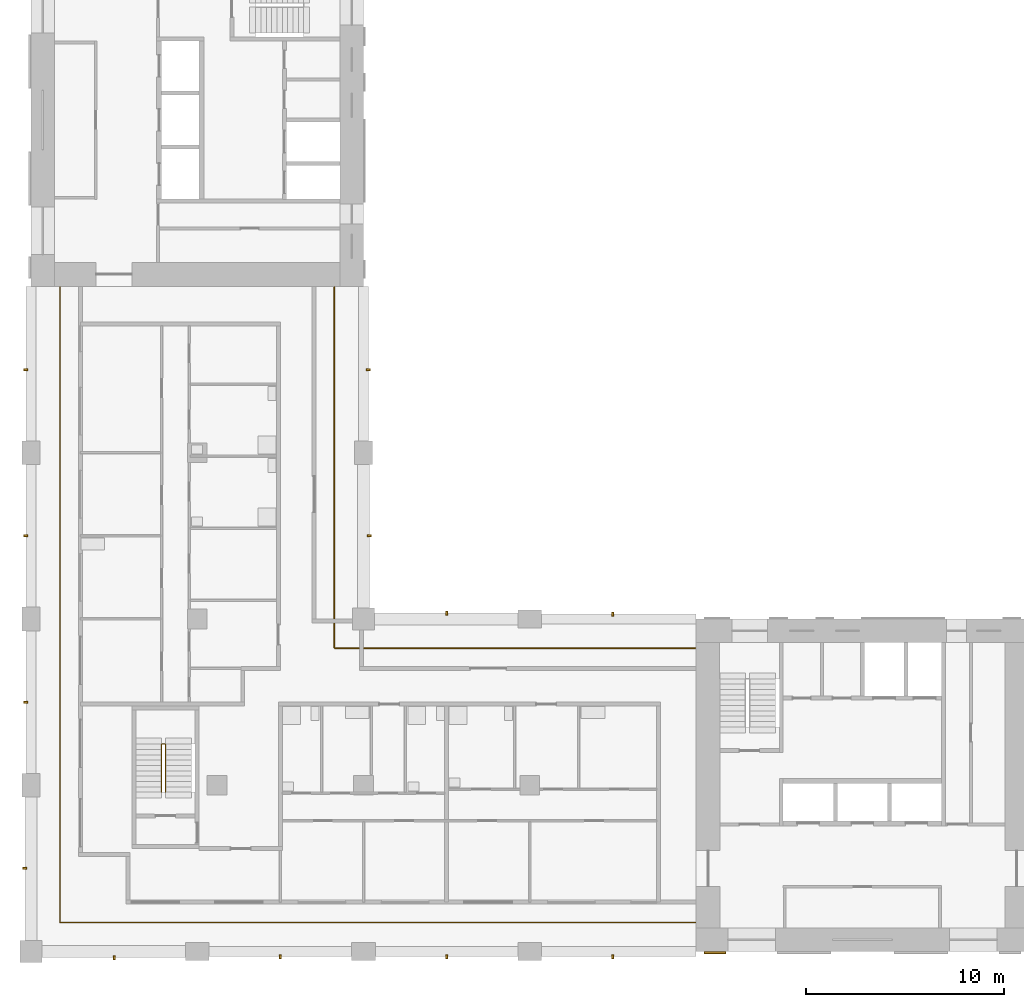
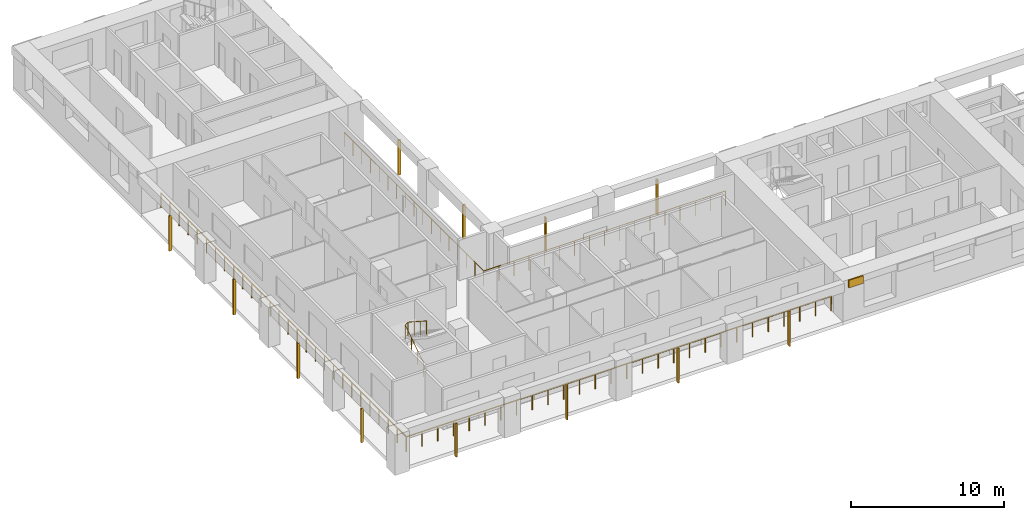
# One storey, part 7 of 10: 13 shading devices, 3 railings.
"""IFC4 building model written with IfcOpenShell, lengths in metres."""

from ifc_helpers import new_model, si_unit, direction, frame, origin, origin_2d, place, context, subcontext, project, spatial, rectangle, circle, extrude, material, layer, layer_set, material_profile, profile_set, type_object, element, save


model = new_model("IFC4")

# Units and contexts
model_context = context("Model", 3, precision=1e-05, world=origin(), true_north=direction((0.0, 1.0)))
body_context = subcontext(model_context, "Body", "Model", "MODEL_VIEW")
ifc_project = project(units=[si_unit("LENGTHUNIT", "METRE"), si_unit("AREAUNIT", "SQUARE_METRE"), si_unit("VOLUMEUNIT", "CUBIC_METRE"), si_unit("PLANEANGLEUNIT", "RADIAN"), si_unit("MASSUNIT", "GRAM", prefix="KILO")], contexts=[model_context])

# Site, building, storey
site_placement = place(None, origin())
site = spatial("IfcSite", under=ifc_project, at=site_placement, CompositionType="ELEMENT")
building_placement = place(site_placement, origin())
building = spatial("IfcBuilding", under=site, at=building_placement, Name="Vermilion Gate Residences", CompositionType="ELEMENT")
storey_placement = place(building_placement, frame((0.0, 0.0, 175.699951171875)))
storey = spatial("IfcBuildingStorey", under=building, at=storey_placement, Name="L45", CompositionType="ELEMENT", Elevation=175.699951171875)

# Railings
ifc_material_1 = material(Name="Stainless steel and toughened glass", Category="steel")
railing_type_1 = type_object("IfcRailingType", Name="LOGGIA GUARD STEEL AND GLASS 1200", PredefinedType="GUARDRAIL", material=ifc_material_1)
railing_1_placement = place(storey_placement, frame((41.97802734375, 23.72509765625, 0.0)))
element("IfcRailing", 1, at=railing_1_placement, inside=storey, type_object=railing_type_1, Name="Loggia guard", PredefinedType="GUARDRAIL", context=body_context, shape_type="SweptSolid", body=[
    extrude(circle(Radius=0.030029296875, at=origin_2d()), frame((0.0, 0.0, 1.169921875), z_axis=(-1.0, 0.0, 0.0), x_axis=(0.0, -1.0, 0.0)), (0.0, 0.0, 1.0), 18.2529296875),
    extrude(circle(Radius=0.030029296875, at=origin_2d()), frame((-18.2529296875, 0.0, 1.169921875), z_axis=(0.0, 1.0, 0.0), x_axis=(-1.0, 0.0, 0.0)), (0.0, 0.0, 1.0), 18.2529296875),
    extrude(circle(Radius=0.02490234375, at=origin_2d()), origin(), (0.0, 0.0, 1.0), 1.139892578125),
    extrude(circle(Radius=0.02490234375, at=origin_2d()), frame((-1.140869140625, 0.0, 0.0)), (0.0, 0.0, 1.0), 1.139892578125),
    extrude(circle(Radius=0.02490234375, at=origin_2d()), frame((-2.28173828125, 0.0, 0.0)), (0.0, 0.0, 1.0), 1.139892578125),
    extrude(circle(Radius=0.02490234375, at=origin_2d()), frame((-3.42236328125, 0.0, 0.0)), (0.0, 0.0, 1.0), 1.139892578125),
    extrude(circle(Radius=0.02490234375, at=origin_2d()), frame((-4.563232421875, 0.0, 0.0)), (0.0, 0.0, 1.0), 1.139892578125),
    extrude(circle(Radius=0.02490234375, at=origin_2d()), frame((-5.7041015625, 0.0, 0.0)), (0.0, 0.0, 1.0), 1.139892578125),
    extrude(circle(Radius=0.02490234375, at=origin_2d()), frame((-6.8447265625, 0.0, 0.0)), (0.0, 0.0, 1.0), 1.139892578125),
    extrude(circle(Radius=0.02490234375, at=origin_2d()), frame((-7.985595703125, 0.0, 0.0)), (0.0, 0.0, 1.0), 1.139892578125),
    extrude(circle(Radius=0.02490234375, at=origin_2d()), frame((-9.12646484375, 0.0, 0.0)), (0.0, 0.0, 1.0), 1.139892578125),
    extrude(circle(Radius=0.02490234375, at=origin_2d()), frame((-10.267333984375, 0.0, 0.0)), (0.0, 0.0, 1.0), 1.139892578125),
    extrude(circle(Radius=0.02490234375, at=origin_2d()), frame((-11.408203125, 0.0, 0.0)), (0.0, 0.0, 1.0), 1.139892578125),
    extrude(circle(Radius=0.02490234375, at=origin_2d()), frame((-12.548828125, 0.0, 0.0)), (0.0, 0.0, 1.0), 1.139892578125),
    extrude(circle(Radius=0.02490234375, at=origin_2d()), frame((-13.689697265625, 0.0, 0.0)), (0.0, 0.0, 1.0), 1.139892578125),
    extrude(circle(Radius=0.02490234375, at=origin_2d()), frame((-14.83056640625, 0.0, 0.0)), (0.0, 0.0, 1.0), 1.139892578125),
    extrude(circle(Radius=0.02490234375, at=origin_2d()), frame((-15.97119140625, 0.0, 0.0)), (0.0, 0.0, 1.0), 1.139892578125),
    extrude(circle(Radius=0.02490234375, at=origin_2d()), frame((-17.112060546875, 0.0, 0.0)), (0.0, 0.0, 1.0), 1.139892578125),
    extrude(circle(Radius=0.02490234375, at=origin_2d()), frame((-18.2529296875, 0.0, 0.0)), (0.0, 0.0, 1.0), 1.139892578125),
    extrude(circle(Radius=0.02490234375, at=origin_2d()), frame((-18.2529296875, 1.140869140625, 0.0)), (0.0, 0.0, 1.0), 1.139892578125),
    extrude(circle(Radius=0.02490234375, at=origin_2d()), frame((-18.2529296875, 2.28173828125, 0.0)), (0.0, 0.0, 1.0), 1.139892578125),
    extrude(circle(Radius=0.02490234375, at=origin_2d()), frame((-18.2529296875, 3.42236328125, 0.0)), (0.0, 0.0, 1.0), 1.139892578125),
    extrude(circle(Radius=0.02490234375, at=origin_2d()), frame((-18.2529296875, 4.563232421875, 0.0)), (0.0, 0.0, 1.0), 1.139892578125),
    extrude(circle(Radius=0.02490234375, at=origin_2d()), frame((-18.2529296875, 5.7041015625, 0.0)), (0.0, 0.0, 1.0), 1.139892578125),
    extrude(circle(Radius=0.02490234375, at=origin_2d()), frame((-18.2529296875, 6.8447265625, 0.0)), (0.0, 0.0, 1.0), 1.139892578125),
    extrude(circle(Radius=0.02490234375, at=origin_2d()), frame((-18.2529296875, 7.985595703125, 0.0)), (0.0, 0.0, 1.0), 1.139892578125),
    extrude(circle(Radius=0.02490234375, at=origin_2d()), frame((-18.2529296875, 9.12646484375, 0.0)), (0.0, 0.0, 1.0), 1.139892578125),
    extrude(circle(Radius=0.02490234375, at=origin_2d()), frame((-18.2529296875, 10.267333984375, 0.0)), (0.0, 0.0, 1.0), 1.139892578125),
    extrude(circle(Radius=0.02490234375, at=origin_2d()), frame((-18.2529296875, 11.408203125, 0.0)), (0.0, 0.0, 1.0), 1.139892578125),
    extrude(circle(Radius=0.02490234375, at=origin_2d()), frame((-18.2529296875, 12.548828125, 0.0)), (0.0, 0.0, 1.0), 1.139892578125),
    extrude(circle(Radius=0.02490234375, at=origin_2d()), frame((-18.2529296875, 13.689697265625, 0.0)), (0.0, 0.0, 1.0), 1.139892578125),
    extrude(circle(Radius=0.02490234375, at=origin_2d()), frame((-18.2529296875, 14.83056640625, 0.0)), (0.0, 0.0, 1.0), 1.139892578125),
    extrude(circle(Radius=0.02490234375, at=origin_2d()), frame((-18.2529296875, 15.97119140625, 0.0)), (0.0, 0.0, 1.0), 1.139892578125),
    extrude(circle(Radius=0.02490234375, at=origin_2d()), frame((-18.2529296875, 17.112060546875, 0.0)), (0.0, 0.0, 1.0), 1.139892578125),
    extrude(circle(Radius=0.02490234375, at=origin_2d()), frame((-18.2529296875, 18.2529296875, 0.0)), (0.0, 0.0, 1.0), 1.139892578125),
])
railing_2_placement = place(storey_placement, frame((9.875, 41.97802734375, 0.0)))
element("IfcRailing", 2, at=railing_2_placement, inside=storey, type_object=railing_type_1, Name="Loggia guard", PredefinedType="GUARDRAIL", context=body_context, shape_type="SweptSolid", body=[
    extrude(circle(Radius=0.030029296875, at=origin_2d()), frame((0.0, 0.0, 1.169921875), z_axis=(0.0, -1.0, 0.0), x_axis=(1.0, 0.0, 0.0)), (0.0, 0.0, 1.0), 32.10302734375),
    extrude(circle(Radius=0.030029296875, at=origin_2d()), frame((0.0, -32.10302734375, 1.169921875), z_axis=(1.0, 0.0, 0.0), x_axis=(0.0, 1.0, 0.0)), (0.0, 0.0, 1.0), 32.10302734375),
    extrude(circle(Radius=0.02490234375, at=origin_2d()), origin(), (0.0, 0.0, 1.0), 1.139892578125),
    extrude(circle(Radius=0.02490234375, at=origin_2d()), frame((0.0, -1.18896484375, 0.0)), (0.0, 0.0, 1.0), 1.139892578125),
    extrude(circle(Radius=0.02490234375, at=origin_2d()), frame((0.0, -2.3779296875, 0.0)), (0.0, 0.0, 1.0), 1.139892578125),
    extrude(circle(Radius=0.02490234375, at=origin_2d()), frame((0.0, -3.56689453125, 0.0)), (0.0, 0.0, 1.0), 1.139892578125),
    extrude(circle(Radius=0.02490234375, at=origin_2d()), frame((0.0, -4.756103515625, 0.0)), (0.0, 0.0, 1.0), 1.139892578125),
    extrude(circle(Radius=0.02490234375, at=origin_2d()), frame((0.0, -5.945068359375, 0.0)), (0.0, 0.0, 1.0), 1.139892578125),
    extrude(circle(Radius=0.02490234375, at=origin_2d()), frame((0.0, -7.134033203125, 0.0)), (0.0, 0.0, 1.0), 1.139892578125),
    extrude(circle(Radius=0.02490234375, at=origin_2d()), frame((0.0, -8.322998046875, 0.0)), (0.0, 0.0, 1.0), 1.139892578125),
    extrude(circle(Radius=0.02490234375, at=origin_2d()), frame((0.0, -9.511962890625, 0.0)), (0.0, 0.0, 1.0), 1.139892578125),
    extrude(circle(Radius=0.02490234375, at=origin_2d()), frame((0.0, -10.700927734375, 0.0)), (0.0, 0.0, 1.0), 1.139892578125),
    extrude(circle(Radius=0.02490234375, at=origin_2d()), frame((0.0, -11.889892578125, 0.0)), (0.0, 0.0, 1.0), 1.139892578125),
    extrude(circle(Radius=0.02490234375, at=origin_2d()), frame((0.0, -13.0791015625, 0.0)), (0.0, 0.0, 1.0), 1.139892578125),
    extrude(circle(Radius=0.02490234375, at=origin_2d()), frame((0.0, -14.26806640625, 0.0)), (0.0, 0.0, 1.0), 1.139892578125),
    extrude(circle(Radius=0.02490234375, at=origin_2d()), frame((0.0, -15.45703125, 0.0)), (0.0, 0.0, 1.0), 1.139892578125),
    extrude(circle(Radius=0.02490234375, at=origin_2d()), frame((0.0, -16.64599609375, 0.0)), (0.0, 0.0, 1.0), 1.139892578125),
    extrude(circle(Radius=0.02490234375, at=origin_2d()), frame((0.0, -17.8349609375, 0.0)), (0.0, 0.0, 1.0), 1.139892578125),
    extrude(circle(Radius=0.02490234375, at=origin_2d()), frame((0.0, -19.02392578125, 0.0)), (0.0, 0.0, 1.0), 1.139892578125),
    extrude(circle(Radius=0.02490234375, at=origin_2d()), frame((0.0, -20.213134765625, 0.0)), (0.0, 0.0, 1.0), 1.139892578125),
    extrude(circle(Radius=0.02490234375, at=origin_2d()), frame((0.0, -21.402099609375, 0.0)), (0.0, 0.0, 1.0), 1.139892578125),
    extrude(circle(Radius=0.02490234375, at=origin_2d()), frame((0.0, -22.591064453125, 0.0)), (0.0, 0.0, 1.0), 1.139892578125),
    extrude(circle(Radius=0.02490234375, at=origin_2d()), frame((0.0, -23.780029296875, 0.0)), (0.0, 0.0, 1.0), 1.139892578125),
    extrude(circle(Radius=0.02490234375, at=origin_2d()), frame((0.0, -24.968994140625, 0.0)), (0.0, 0.0, 1.0), 1.139892578125),
    extrude(circle(Radius=0.02490234375, at=origin_2d()), frame((0.0, -26.157958984375, 0.0)), (0.0, 0.0, 1.0), 1.139892578125),
    extrude(circle(Radius=0.02490234375, at=origin_2d()), frame((0.0, -27.346923828125, 0.0)), (0.0, 0.0, 1.0), 1.139892578125),
    extrude(circle(Radius=0.02490234375, at=origin_2d()), frame((0.0, -28.5361328125, 0.0)), (0.0, 0.0, 1.0), 1.139892578125),
    extrude(circle(Radius=0.02490234375, at=origin_2d()), frame((0.0, -29.72509765625, 0.0)), (0.0, 0.0, 1.0), 1.139892578125),
    extrude(circle(Radius=0.02490234375, at=origin_2d()), frame((0.0, -30.9140625, 0.0)), (0.0, 0.0, 1.0), 1.139892578125),
    extrude(circle(Radius=0.02490234375, at=origin_2d()), frame((0.0, -32.10302734375, 0.0)), (0.0, 0.0, 1.0), 1.139892578125),
    extrude(circle(Radius=0.02490234375, at=origin_2d()), frame((1.18896484375, -32.10302734375, 0.0)), (0.0, 0.0, 1.0), 1.139892578125),
    extrude(circle(Radius=0.02490234375, at=origin_2d()), frame((2.3779296875, -32.10302734375, 0.0)), (0.0, 0.0, 1.0), 1.139892578125),
    extrude(circle(Radius=0.02490234375, at=origin_2d()), frame((3.56689453125, -32.10302734375, 0.0)), (0.0, 0.0, 1.0), 1.139892578125),
    extrude(circle(Radius=0.02490234375, at=origin_2d()), frame((4.756103515625, -32.10302734375, 0.0)), (0.0, 0.0, 1.0), 1.139892578125),
    extrude(circle(Radius=0.02490234375, at=origin_2d()), frame((5.945068359375, -32.10302734375, 0.0)), (0.0, 0.0, 1.0), 1.139892578125),
    extrude(circle(Radius=0.02490234375, at=origin_2d()), frame((7.134033203125, -32.10302734375, 0.0)), (0.0, 0.0, 1.0), 1.139892578125),
    extrude(circle(Radius=0.02490234375, at=origin_2d()), frame((8.322998046875, -32.10302734375, 0.0)), (0.0, 0.0, 1.0), 1.139892578125),
    extrude(circle(Radius=0.02490234375, at=origin_2d()), frame((9.511962890625, -32.10302734375, 0.0)), (0.0, 0.0, 1.0), 1.139892578125),
    extrude(circle(Radius=0.02490234375, at=origin_2d()), frame((10.700927734375, -32.10302734375, 0.0)), (0.0, 0.0, 1.0), 1.139892578125),
    extrude(circle(Radius=0.02490234375, at=origin_2d()), frame((11.889892578125, -32.10302734375, 0.0)), (0.0, 0.0, 1.0), 1.139892578125),
    extrude(circle(Radius=0.02490234375, at=origin_2d()), frame((13.0791015625, -32.10302734375, 0.0)), (0.0, 0.0, 1.0), 1.139892578125),
    extrude(circle(Radius=0.02490234375, at=origin_2d()), frame((14.26806640625, -32.10302734375, 0.0)), (0.0, 0.0, 1.0), 1.139892578125),
    extrude(circle(Radius=0.02490234375, at=origin_2d()), frame((15.45703125, -32.10302734375, 0.0)), (0.0, 0.0, 1.0), 1.139892578125),
    extrude(circle(Radius=0.02490234375, at=origin_2d()), frame((16.64599609375, -32.10302734375, 0.0)), (0.0, 0.0, 1.0), 1.139892578125),
    extrude(circle(Radius=0.02490234375, at=origin_2d()), frame((17.8349609375, -32.10302734375, 0.0)), (0.0, 0.0, 1.0), 1.139892578125),
    extrude(circle(Radius=0.02490234375, at=origin_2d()), frame((19.02392578125, -32.10302734375, 0.0)), (0.0, 0.0, 1.0), 1.139892578125),
    extrude(circle(Radius=0.02490234375, at=origin_2d()), frame((20.213134765625, -32.10302734375, 0.0)), (0.0, 0.0, 1.0), 1.139892578125),
    extrude(circle(Radius=0.02490234375, at=origin_2d()), frame((21.402099609375, -32.10302734375, 0.0)), (0.0, 0.0, 1.0), 1.139892578125),
    extrude(circle(Radius=0.02490234375, at=origin_2d()), frame((22.591064453125, -32.10302734375, 0.0)), (0.0, 0.0, 1.0), 1.139892578125),
    extrude(circle(Radius=0.02490234375, at=origin_2d()), frame((23.780029296875, -32.10302734375, 0.0)), (0.0, 0.0, 1.0), 1.139892578125),
    extrude(circle(Radius=0.02490234375, at=origin_2d()), frame((24.968994140625, -32.10302734375, 0.0)), (0.0, 0.0, 1.0), 1.139892578125),
    extrude(circle(Radius=0.02490234375, at=origin_2d()), frame((26.157958984375, -32.10302734375, 0.0)), (0.0, 0.0, 1.0), 1.139892578125),
    extrude(circle(Radius=0.02490234375, at=origin_2d()), frame((27.346923828125, -32.10302734375, 0.0)), (0.0, 0.0, 1.0), 1.139892578125),
    extrude(circle(Radius=0.02490234375, at=origin_2d()), frame((28.5361328125, -32.10302734375, 0.0)), (0.0, 0.0, 1.0), 1.139892578125),
    extrude(circle(Radius=0.02490234375, at=origin_2d()), frame((29.72509765625, -32.10302734375, 0.0)), (0.0, 0.0, 1.0), 1.139892578125),
    extrude(circle(Radius=0.02490234375, at=origin_2d()), frame((30.9140625, -32.10302734375, 0.0)), (0.0, 0.0, 1.0), 1.139892578125),
    extrude(circle(Radius=0.02490234375, at=origin_2d()), frame((32.10302734375, -32.10302734375, 0.0)), (0.0, 0.0, 1.0), 1.139892578125),
])
ifc_material_2 = material(Name="Steel S355", Category="steel")
railing_type_2 = type_object("IfcRailingType", Name="STAIR GUARD 1100 STEEL", PredefinedType="GUARDRAIL", material=ifc_material_2)
railing_3_placement = place(storey_placement, frame((15.0, 16.449951171875, 0.175048828125)))
element("IfcRailing", 3, at=railing_3_placement, inside=storey, type_object=railing_type_2, Name="Stair well guard STC1-45", PredefinedType="GUARDRAIL", context=body_context, shape_type="SweptSolid", body=[
    extrude(circle(Radius=0.02392578125, at=origin_2d()), frame((0.0, 0.0, 1.076171875), z_axis=(0.0, 0.839153699163, 0.543894354798), x_axis=(-1.0, 0.0, 0.0)), (0.0, 0.0, 1.0), 2.895751953125),
    extrude(circle(Radius=0.02392578125, at=origin_2d()), frame((0.0, 2.429931640625, 2.65087890625), z_axis=(0.752405939678, 0.0, 0.658699705433), x_axis=(0.0, 1.0, 0.0)), (0.0, 0.0, 1.0), 0.265869140625),
    extrude(circle(Radius=0.02392578125, at=origin_2d()), frame((0.199951171875, 2.429931640625, 2.826171875), z_axis=(0.0, -0.839153699163, 0.543894354798), x_axis=(1.0, 0.0, 0.0)), (0.0, 0.0, 1.0), 2.895751953125),
    extrude(circle(Radius=0.02099609375, at=origin_2d()), origin(), (0.0, 0.0, 1.0), 1.052001953125),
    extrude(circle(Radius=0.02099609375, at=origin_2d()), frame((0.0, 0.81005859375, 0.52490234375)), (0.0, 0.0, 1.0), 1.052001953125),
    extrude(circle(Radius=0.02099609375, at=origin_2d()), frame((0.0, 1.619873046875, 1.050048828125)), (0.0, 0.0, 1.0), 1.052001953125),
    extrude(circle(Radius=0.02099609375, at=origin_2d()), frame((0.0, 2.429931640625, 1.574951171875)), (0.0, 0.0, 1.0), 1.052001953125),
    extrude(circle(Radius=0.02099609375, at=origin_2d()), frame((0.199951171875, 2.429931640625, 1.75)), (0.0, 0.0, 1.0), 1.052001953125),
    extrude(circle(Radius=0.02099609375, at=origin_2d()), frame((0.199951171875, 1.619873046875, 2.27490234375)), (0.0, 0.0, 1.0), 1.052001953125),
    extrude(circle(Radius=0.02099609375, at=origin_2d()), frame((0.199951171875, 0.81005859375, 2.800048828125)), (0.0, 0.0, 1.0), 1.052001953125),
    extrude(circle(Radius=0.02099609375, at=origin_2d()), frame((0.199951171875, 0.0, 3.324951171875)), (0.0, 0.0, 1.0), 1.052001953125),
])

# Shading devices
ifc_material_3 = material(Name="Extruded terracotta", Category="masonry")
ifc_material_profile = material_profile(ifc_material_3, rectangle(XDim=0.199951171875, YDim=0.10009765625, at=origin_2d()), Name="BAGUETTE 100 X 200")
ifc_profile_set = profile_set([ifc_material_profile], Name="Extruded terracotta")
shading_device_type_1 = type_object("IfcShadingDeviceType", Name="TERRACOTTA BAGUETTE 100 X 200", PredefinedType="JALOUSIE", material=ifc_profile_set)
shading_device_1_placement = place(storey_placement, frame((12.60009765625, 8.10009765625, -0.280029296875), z_axis=(0.0, 0.0, 1.0), x_axis=(0.0, 1.0, 0.0)))
element("IfcShadingDevice", 4, at=shading_device_1_placement, inside=storey, type_object=shading_device_type_1, Name="BAGUETTE", PredefinedType="JALOUSIE", context=body_context, shape_type="SweptSolid", body=[
    extrude(rectangle(XDim=0.199951171875, YDim=0.10009765625, at=origin_2d()), origin(), (0.0, 0.0, 1.0), 2.7001953125),
])
for number, where, z_axis, x_axis, name in (
    (5, (21.0, 8.14990234375, -0.280029296875), (0.0, 0.0, 1.0), (0.0, 1.0, 0.0), "BAGUETTE"),
    (6, (29.39990234375, 8.14990234375, -0.280029296875), (0.0, 0.0, 1.0), (0.0, 1.0, 0.0), "BAGUETTE"),
    (7, (37.800048828125, 8.14990234375, -0.280029296875), (0.0, 0.0, 1.0), (0.0, 1.0, 0.0), "BAGUETTE"),
):
    element("IfcShadingDevice", number, at=place(storey_placement, frame(where, z_axis=z_axis, x_axis=x_axis)), inside=storey, type_object=shading_device_type_1, Name=name, PredefinedType="JALOUSIE", context=body_context, shape_type="SweptSolid", body=[
        extrude(rectangle(XDim=0.199951171875, YDim=0.10009765625, at=origin_2d()), origin(), (0.0, 0.0, 1.0), 2.800048828125),
    ])
shading_device_2_placement = place(storey_placement, frame((29.39990234375, 25.5, -0.280029296875), z_axis=(0.0, 0.0, 1.0), x_axis=(0.0, -1.0, 0.0)))
element("IfcShadingDevice", 8, at=shading_device_2_placement, inside=storey, type_object=shading_device_type_1, Name="BAGUETTE", PredefinedType="JALOUSIE", context=body_context, shape_type="SweptSolid", body=[
    extrude(rectangle(XDim=0.199951171875, YDim=0.10009765625, at=origin_2d()), origin(), (0.0, 0.0, 1.0), 2.7001953125),
])
shading_device_3_placement = place(storey_placement, frame((37.800048828125, 25.449951171875, -0.280029296875), z_axis=(0.0, 0.0, 1.0), x_axis=(0.0, -1.0, 0.0)))
element("IfcShadingDevice", 9, at=shading_device_3_placement, inside=storey, type_object=shading_device_type_1, Name="BAGUETTE", PredefinedType="JALOUSIE", context=body_context, shape_type="SweptSolid", body=[
    extrude(rectangle(XDim=0.199951171875, YDim=0.10009765625, at=origin_2d()), origin(), (0.0, 0.0, 1.0), 2.800048828125),
])
shading_device_4_placement = place(storey_placement, frame((25.5, 29.39990234375, -0.280029296875), z_axis=(0.0, 0.0, 1.0), x_axis=(-1.0, 0.0, 0.0)))
element("IfcShadingDevice", 10, at=shading_device_4_placement, inside=storey, type_object=shading_device_type_1, Name="BAGUETTE", PredefinedType="JALOUSIE", context=body_context, shape_type="SweptSolid", body=[
    extrude(rectangle(XDim=0.199951171875, YDim=0.10009765625, at=origin_2d()), origin(), (0.0, 0.0, 1.0), 2.7001953125),
])
shading_device_5_placement = place(storey_placement, frame((25.449951171875, 37.800048828125, -0.280029296875), z_axis=(0.0, 0.0, 1.0), x_axis=(-1.0, 0.0, 0.0)))
element("IfcShadingDevice", 11, at=shading_device_5_placement, inside=storey, type_object=shading_device_type_1, Name="BAGUETTE", PredefinedType="JALOUSIE", context=body_context, shape_type="SweptSolid", body=[
    extrude(rectangle(XDim=0.199951171875, YDim=0.10009765625, at=origin_2d()), origin(), (0.0, 0.0, 1.0), 2.800048828125),
])
shading_device_6_placement = place(storey_placement, frame((8.10009765625, 12.60009765625, -0.280029296875), z_axis=(0.0, 0.0, 1.0), x_axis=(1.0, 0.0, 0.0)))
element("IfcShadingDevice", 12, at=shading_device_6_placement, inside=storey, type_object=shading_device_type_1, Name="BAGUETTE", PredefinedType="JALOUSIE", context=body_context, shape_type="SweptSolid", body=[
    extrude(rectangle(XDim=0.199951171875, YDim=0.10009765625, at=origin_2d()), origin(), (0.0, 0.0, 1.0), 2.7001953125),
])
for number, where, z_axis, x_axis, name in (
    (13, (8.14990234375, 21.0, -0.280029296875), (0.0, 0.0, 1.0), (1.0, 0.0, 0.0), "BAGUETTE"),
    (14, (8.14990234375, 29.39990234375, -0.280029296875), (0.0, 0.0, 1.0), (1.0, 0.0, 0.0), "BAGUETTE"),
    (15, (8.14990234375, 37.800048828125, -0.280029296875), (0.0, 0.0, 1.0), (1.0, 0.0, 0.0), "BAGUETTE"),
):
    element("IfcShadingDevice", number, at=place(storey_placement, frame(where, z_axis=z_axis, x_axis=x_axis)), inside=storey, type_object=shading_device_type_1, Name=name, PredefinedType="JALOUSIE", context=body_context, shape_type="SweptSolid", body=[
        extrude(rectangle(XDim=0.199951171875, YDim=0.10009765625, at=origin_2d()), origin(), (0.0, 0.0, 1.0), 2.800048828125),
    ])
ifc_material_4 = material(Name="Extruded terracotta", Category="masonry")
ifc_layer = layer(ifc_material_4, 0.10009765625)
ifc_layer_set = layer_set([ifc_layer], Name="TERRACOTTA SPANDREL BAND 600 X 100")
shading_device_type_2 = type_object("IfcShadingDeviceType", Name="TERRACOTTA SPANDREL BAND 600 X 100", PredefinedType="USERDEFINED", material=ifc_layer_set)
shading_device_7_placement = place(storey_placement, frame((42.949951171875, 8.35009765625, 2.6201171875), z_axis=(0.0, 0.0, 1.0), x_axis=(1.0, 0.0, 0.0)))
element("IfcShadingDevice", 16, at=shading_device_7_placement, inside=storey, type_object=shading_device_type_2, Name="SPANDREL BAND", ObjectType="BAND", PredefinedType="USERDEFINED", context=body_context, shape_type="SweptSolid", body=[
    extrude(rectangle(XDim=1.10009765625, YDim=0.10009765625, at=origin_2d()), origin(), (0.0, 0.0, 1.0), 0.60009765625),
])

save(model, "model.ifc")
